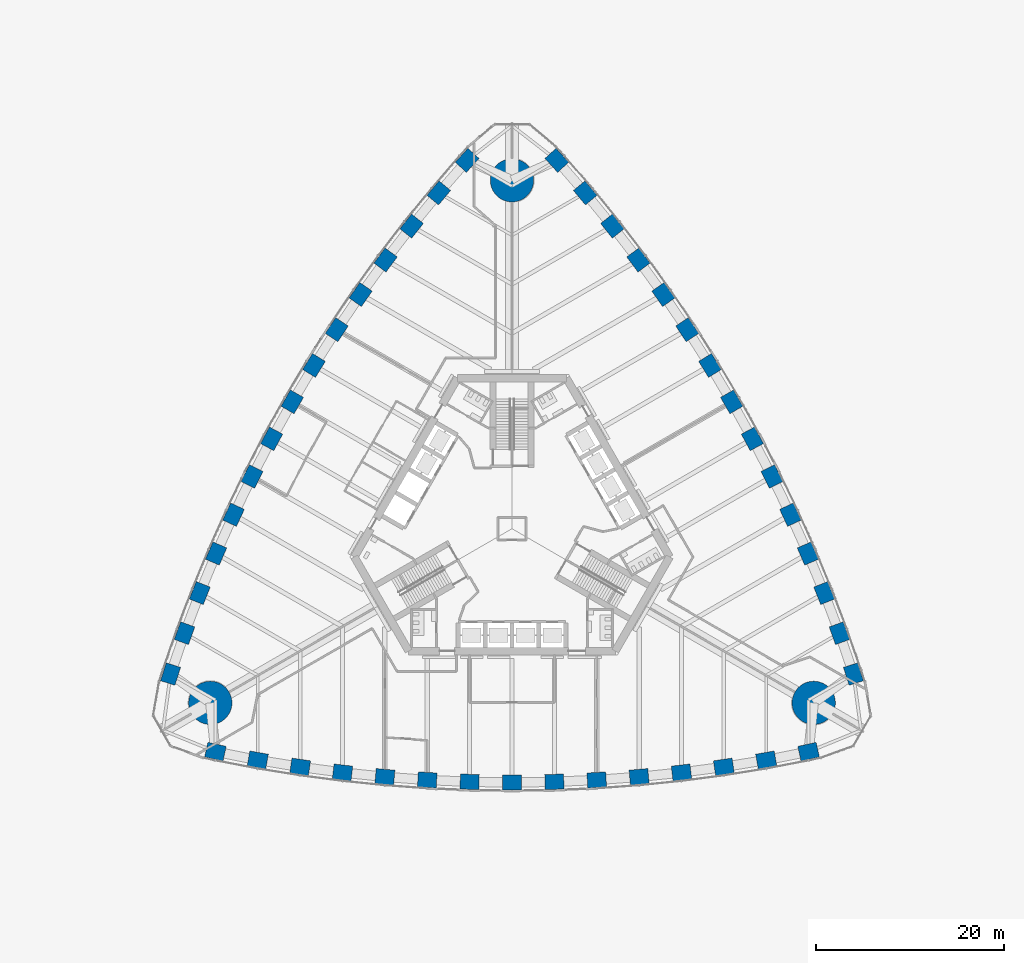
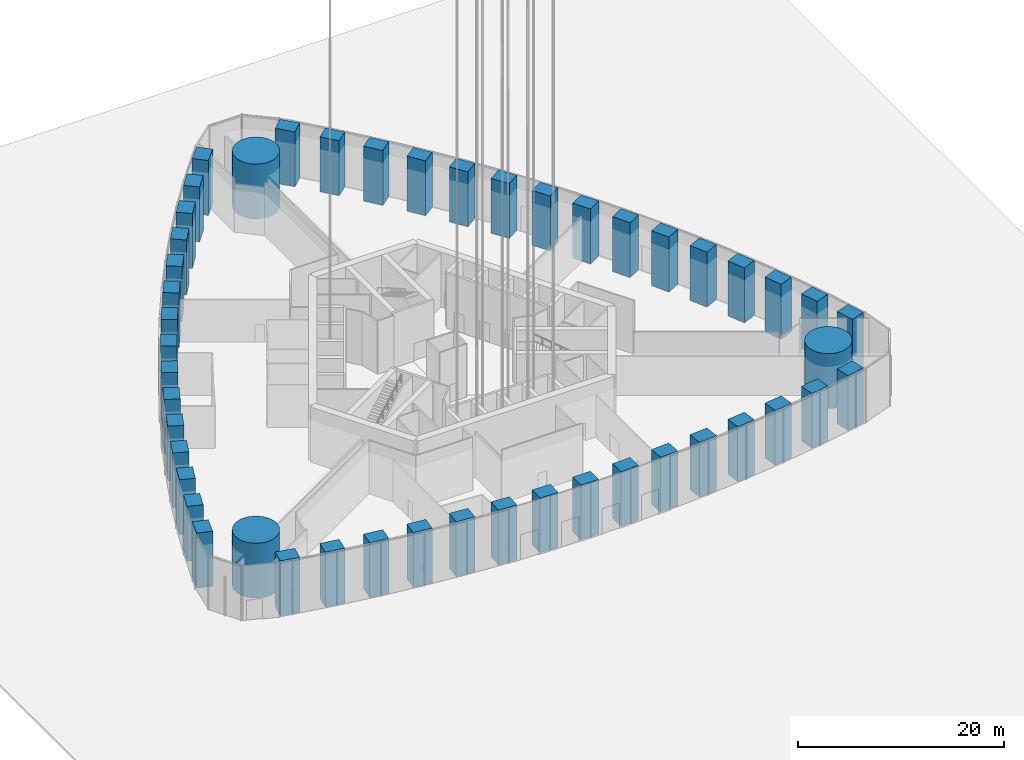
# One storey, part 1 of 43: 48 columns.
"""IFC4 building model written with IfcOpenShell, lengths in metres."""

from ifc_helpers import new_model, si_unit, direction, frame, origin, origin_2d, place, context, subcontext, project, spatial, rectangle, circle, extrude, material, material_profile, profile_set, type_object, element, save


model = new_model("IFC4")

# Units and contexts
model_context = context("Model", 3, precision=1e-05, world=origin(), true_north=direction((0.0, 1.0)))
body_context = subcontext(model_context, "Body", "Model", "MODEL_VIEW")
ifc_project = project(units=[si_unit("LENGTHUNIT", "METRE"), si_unit("AREAUNIT", "SQUARE_METRE"), si_unit("VOLUMEUNIT", "CUBIC_METRE"), si_unit("PLANEANGLEUNIT", "RADIAN"), si_unit("MASSUNIT", "GRAM", prefix="KILO")], contexts=[model_context])

# Site, building, storey
site_placement = place(None, origin())
site = spatial("IfcSite", under=ifc_project, at=site_placement, CompositionType="ELEMENT")
building_placement = place(site_placement, origin())
building = spatial("IfcBuilding", under=site, at=building_placement, Name="Trefoil Bronze Tower", CompositionType="ELEMENT")
storey_placement = place(building_placement, origin())
storey = spatial("IfcBuildingStorey", under=building, at=storey_placement, Name="L00", CompositionType="ELEMENT", Elevation=0.0)

# Columns
ifc_material_1 = material(Name="Concrete B80", Category="concrete")
ifc_material_profile_1 = material_profile(ifc_material_1, circle(Radius=2.300048828125, at=origin_2d()), Name="RC D4600")
ifc_profile_set_1 = profile_set([ifc_material_profile_1], Name="Concrete B80")
column_type_1 = type_object("IfcColumnType", Name="Mega column RC D4600", PredefinedType="COLUMN", material=ifc_profile_set_1)
for number, where, z_axis, x_axis, name in (
    (1, (32.04296875, -18.5, 0.0), (0.0, 0.0, 1.0), (1.0, 0.0, 0.0), "Mega column K1 L00"),
    (2, (0.0, 37.0, 0.0), (0.0, 0.0, 1.0), (1.0, 0.0, 0.0), "Mega column K2 L00"),
    (3, (-32.04296875, -18.5, 0.0), (0.0, 0.0, 1.0), (1.0, 0.0, 0.0), "Mega column K3 L00"),
):
    element("IfcColumn", number, at=place(storey_placement, frame(where, z_axis=z_axis, x_axis=x_axis)), inside=storey, type_object=column_type_1, Name=name, PredefinedType="COLUMN", context=body_context, shape_type="SweptSolid", body=[
        extrude(circle(Radius=2.300048828125, at=origin_2d()), origin(), (0.0, 0.0, 1.0), 6.5),
    ])
ifc_material_2 = material(Name="Concrete B80", Category="concrete")
ifc_material_profile_2 = material_profile(ifc_material_2, rectangle(XDim=2.0, YDim=1.60009765625, at=origin_2d()), Name="RC 2000x1600")
ifc_profile_set_2 = profile_set([ifc_material_profile_2], Name="Concrete B80")
column_type_2 = type_object("IfcColumnType", Name="Tube column RC 2000x1600", PredefinedType="COLUMN", material=ifc_profile_set_2)
for number, where, z_axis, x_axis, name in (
    (4, (-31.5, -23.684814453125, 0.0), (0.0, 0.0, 1.0), (0.976229647342, -0.216738726697, 0.0), "Tube column F1/-7 L00"),
    (5, (-27.0, -24.56787109375, 0.0), (0.0, 0.0, 1.0), (0.984722470468, -0.174131146426, 0.0), "Tube column F1/-6 L00"),
    (6, (-22.5, -25.29931640625, 0.0), (0.0, 0.0, 1.0), (0.989415676546, -0.145108990094, 0.0), "Tube column F1/-5 L00"),
    (7, (-18.0, -25.895263671875, 0.0), (0.0, 0.0, 1.0), (0.993239048989, -0.116086999973, 0.0), "Tube column F1/-4 L00"),
    (8, (-13.5, -26.35693359375, 0.0), (0.0, 0.0, 1.0), (0.996202620701, -0.087065139456, 0.0), "Tube column F1/-3 L00"),
    (9, (-9.0, -26.68603515625, 0.0), (0.0, 0.0, 1.0), (0.998314062162, -0.058043374207, 0.0), "Tube column F1/-2 L00"),
    (10, (-4.5, -26.883056640625, 0.0), (0.0, 0.0, 1.0), (0.999578782577, -0.029021671584, 0.0), "Tube column F1/-1 L00"),
    (11, (0.0, -26.94873046875, 0.0), (0.0, 0.0, 1.0), (1.0, 0.0, 0.0), "Tube column F1/+0 L00"),
    (12, (4.5, -26.883056640625, 0.0), (0.0, 0.0, 1.0), (0.999578782577, 0.029021671584, 0.0), "Tube column F1/+1 L00"),
    (13, (9.0, -26.68603515625, 0.0), (0.0, 0.0, 1.0), (0.998314062162, 0.058043374207, 0.0), "Tube column F1/+2 L00"),
    (14, (13.5, -26.35693359375, 0.0), (0.0, 0.0, 1.0), (0.996202620701, 0.087065139456, 0.0), "Tube column F1/+3 L00"),
    (15, (18.0, -25.895263671875, 0.0), (0.0, 0.0, 1.0), (0.993239048989, 0.116086999973, 0.0), "Tube column F1/+4 L00"),
    (16, (22.5, -25.29931640625, 0.0), (0.0, 0.0, 1.0), (0.989415676546, 0.145108990094, 0.0), "Tube column F1/+5 L00"),
    (17, (27.0, -24.56787109375, 0.0), (0.0, 0.0, 1.0), (0.984722470468, 0.174131146426, 0.0), "Tube column F1/+6 L00"),
    (18, (31.5, -23.684814453125, 0.0), (0.0, 0.0, 1.0), (0.976229647342, 0.216738726697, 0.0), "Tube column F1/+7 L00"),
    (19, (36.26171875, -15.4375, 0.0), (0.0, 0.0, 1.0), (-0.300413580368, 0.953809037874, 0.0), "Tube column F2/-7 L00"),
    (20, (34.7763671875, -11.0986328125, 0.0), (0.0, 0.0, 1.0), (-0.341559238839, 0.939860248316, 0.0), "Tube column F2/-6 L00"),
    (21, (33.159912109375, -6.8359375, 0.0), (0.0, 0.0, 1.0), (-0.369039766534, 0.929413605838, 0.0), "Tube column F2/-5 L00"),
    (22, (31.42578125, -2.640869140625, 0.0), (0.0, 0.0, 1.0), (-0.396085233469, 0.918213748442, 0.0), "Tube column F2/-4 L00"),
    (23, (29.575927734375, 1.487060546875, 0.0), (0.0, 0.0, 1.0), (-0.422700687798, 0.906269346572, 0.0), "Tube column F2/-3 L00"),
    (24, (27.61083984375, 5.548828125, 0.0), (0.0, 0.0, 1.0), (-0.448889994497, 0.893587025891, 0.0), "Tube column F2/-2 L00"),
    (25, (25.531494140625, 9.54443359375, 0.0), (0.0, 0.0, 1.0), (-0.474655886437, 0.880171454588, 0.0), "Tube column F2/-1 L00"),
    (26, (23.33837890625, 13.474365234375, 0.0), (0.0, 0.0, 1.0), (-0.5, 0.866025403784, 0.0), "Tube column F2/+0 L00"),
    (27, (21.031494140625, 17.338623046875, 0.0), (0.0, 0.0, 1.0), (-0.524922896141, 0.851149783004, 0.0), "Tube column F2/+1 L00"),
    (28, (18.61083984375, 21.13720703125, 0.0), (0.0, 0.0, 1.0), (-0.549424067665, 0.835543651684, 0.0), "Tube column F2/+2 L00"),
    (29, (16.075927734375, 24.869873046875, 0.0), (0.0, 0.0, 1.0), (-0.573501932903, 0.819204207116, 0.0), "Tube column F2/+3 L00"),
    (30, (13.42578125, 28.5361328125, 0.0), (0.0, 0.0, 1.0), (-0.59715381552, 0.802126748469, 0.0), "Tube column F2/+4 L00"),
    (31, (10.659912109375, 32.13525390625, 0.0), (0.0, 0.0, 1.0), (-0.620375910011, 0.784304615744, 0.0), "Tube column F2/+5 L00"),
    (32, (7.7763671875, 35.666748046875, 0.0), (0.0, 0.0, 1.0), (-0.643163231629, 0.765729101889, 0.0), "Tube column F2/+6 L00"),
    (33, (4.76171875, 39.122314453125, 0.0), (0.0, 0.0, 1.0), (-0.675816066975, 0.737070311177, 0.0), "Tube column F2/+7 L00"),
    (34, (-4.76171875, 39.122314453125, 0.0), (0.0, 0.0, 1.0), (-0.675816066975, -0.737070311177, 0.0), "Tube column F3/-7 L00"),
    (35, (-7.7763671875, 35.666748046875, 0.0), (0.0, 0.0, 1.0), (-0.643163231629, -0.765729101889, 0.0), "Tube column F3/-6 L00"),
    (36, (-10.659912109375, 32.13525390625, 0.0), (0.0, 0.0, 1.0), (-0.620375910011, -0.784304615744, 0.0), "Tube column F3/-5 L00"),
    (37, (-13.42578125, 28.5361328125, 0.0), (0.0, 0.0, 1.0), (-0.59715381552, -0.802126748469, 0.0), "Tube column F3/-4 L00"),
    (38, (-16.075927734375, 24.869873046875, 0.0), (0.0, 0.0, 1.0), (-0.573501932903, -0.819204207116, 0.0), "Tube column F3/-3 L00"),
    (39, (-18.61083984375, 21.13720703125, 0.0), (0.0, 0.0, 1.0), (-0.549424067665, -0.835543651684, 0.0), "Tube column F3/-2 L00"),
    (40, (-21.031494140625, 17.338623046875, 0.0), (0.0, 0.0, 1.0), (-0.524922896141, -0.851149783004, 0.0), "Tube column F3/-1 L00"),
    (41, (-23.33837890625, 13.474365234375, 0.0), (0.0, 0.0, 1.0), (-0.5, -0.866025403784, 0.0), "Tube column F3/+0 L00"),
    (42, (-25.531494140625, 9.54443359375, 0.0), (0.0, 0.0, 1.0), (-0.474655886437, -0.880171454588, 0.0), "Tube column F3/+1 L00"),
    (43, (-27.61083984375, 5.548828125, 0.0), (0.0, 0.0, 1.0), (-0.448889994497, -0.893587025891, 0.0), "Tube column F3/+2 L00"),
    (44, (-29.575927734375, 1.487060546875, 0.0), (0.0, 0.0, 1.0), (-0.422700687798, -0.906269346572, 0.0), "Tube column F3/+3 L00"),
    (45, (-31.42578125, -2.640869140625, 0.0), (0.0, 0.0, 1.0), (-0.396085233469, -0.918213748442, 0.0), "Tube column F3/+4 L00"),
    (46, (-33.159912109375, -6.8359375, 0.0), (0.0, 0.0, 1.0), (-0.369039766534, -0.929413605838, 0.0), "Tube column F3/+5 L00"),
    (47, (-34.7763671875, -11.0986328125, 0.0), (0.0, 0.0, 1.0), (-0.341559238839, -0.939860248316, 0.0), "Tube column F3/+6 L00"),
    (48, (-36.26171875, -15.4375, 0.0), (0.0, 0.0, 1.0), (-0.300413580368, -0.953809037874, 0.0), "Tube column F3/+7 L00"),
):
    element("IfcColumn", number, at=place(storey_placement, frame(where, z_axis=z_axis, x_axis=x_axis)), inside=storey, type_object=column_type_2, Name=name, PredefinedType="COLUMN", context=body_context, shape_type="SweptSolid", body=[
        extrude(rectangle(XDim=2.0, YDim=1.60009765625, at=origin_2d()), origin(), (0.0, 0.0, 1.0), 6.5),
    ])

save(model, "model.ifc")
